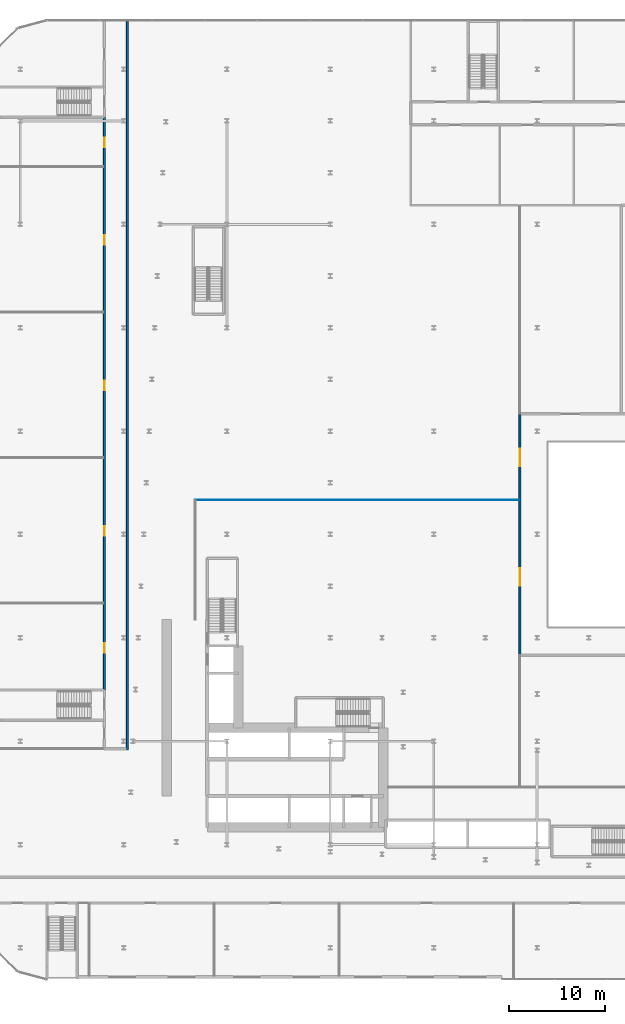
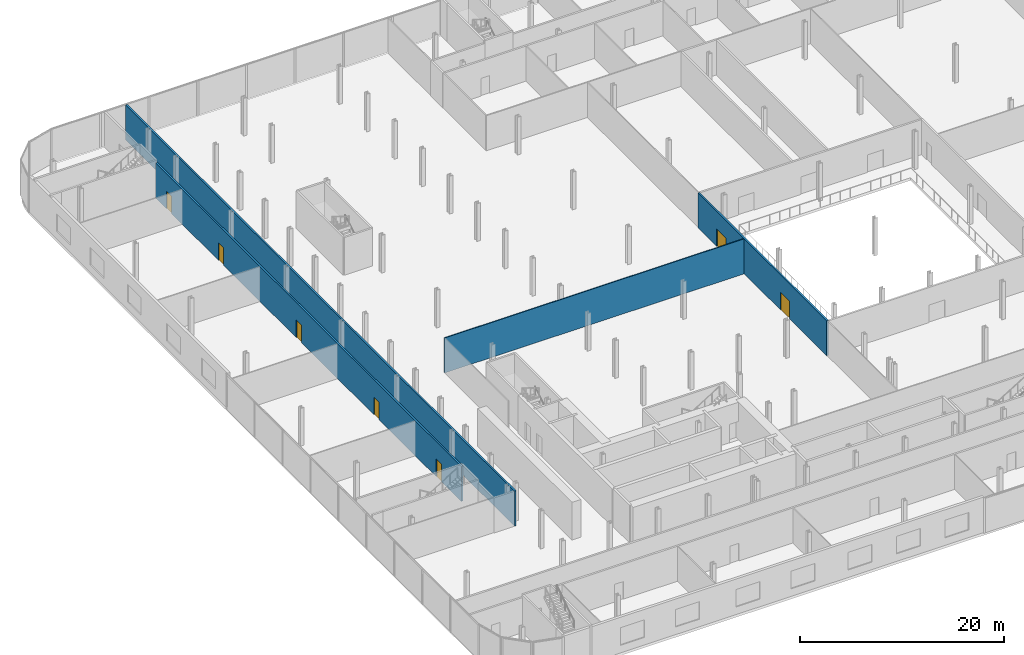
# One storey, part 31 of 47: 7 doors, 4 walls, 7 openings.
"""IFC4 building model written with IfcOpenShell, lengths in metres."""

import ifcopenshell
import ifcopenshell.guid

model = None  # the IFC model being written
_history = None  # IfcOwnerHistory: only IFC2X3 demands one
_inside = {}  # id of a spatial element -> (the spatial element, [elements in it])
_under = {}  # id of a project, library or spatial element -> (it, [spatial elements below it])
_declared = {}  # id of a project -> (the project, [libraries it declares])
_typed = {}  # id of a type object -> (the type object, [elements of that type])
_made_of = {}  # id of a material, layer set ... -> (it, [elements and type objects made of it])


def new_model(schema):
    """Start an empty IFC model of exactly this schema.

    Asked for "IFC4X3", IfcOpenShell would pick the latest addendum, in which some entities
    have other attributes; the version numbers below select the first issue.
    IFC2X3 requires an IfcOwnerHistory on every rooted entity: one is made here for all.
    """
    global model, _history
    if schema == "IFC4X3":
        model = ifcopenshell.file(schema_version=(4, 3, 0, 0))
    else:
        model = ifcopenshell.file(schema=schema)
    _inside.clear()
    _under.clear()
    _declared.clear()
    _typed.clear()
    _made_of.clear()
    _history = None
    if model.schema == "IFC2X3":
        org = make("IfcOrganization", Name="unknown")
        user = make(
            "IfcPersonAndOrganization",
            ThePerson=make("IfcPerson", FamilyName="unknown"),
            TheOrganization=org,
        )
        app = make(
            "IfcApplication",
            ApplicationDeveloper=org,
            Version="unknown",
            ApplicationFullName="unknown",
            ApplicationIdentifier="unknown",
        )
        _history = make(
            "IfcOwnerHistory",
            OwningUser=user,
            OwningApplication=app,
            ChangeAction="ADDED",
            CreationDate=0,
        )
    return model


def make(cls, **values):
    """One entity of the class cls with the attributes given. An attribute that is None is left unset."""
    return model.create_entity(
        cls, **{name: value for name, value in values.items() if value is not None}
    )


def rooted(cls, **values):
    """An entity with a GlobalId (a new one), such as an element, a storey or a relation."""
    return make(cls, GlobalId=ifcopenshell.guid.new(), OwnerHistory=_history, **values)


def si_unit(unit_type, name, prefix=None):
    """IfcSIUnit, for example si_unit("LENGTHUNIT", "METRE", prefix="MILLI")."""
    return make("IfcSIUnit", UnitType=unit_type, Prefix=prefix, Name=name)


def assignment(units):
    """IfcUnitAssignment: the units of a project."""
    return None if units is None else make("IfcUnitAssignment", Units=units)


def point(xyz):
    """IfcCartesianPoint."""
    return None if xyz is None else make("IfcCartesianPoint", Coordinates=xyz)


def direction(xyz):
    """IfcDirection."""
    return None if xyz is None else make("IfcDirection", DirectionRatios=xyz)


def frame(location, z_axis=None, x_axis=None):
    """IfcAxis2Placement3D, a coordinate frame: its origin and axes. An axis left out is left unset."""
    return make(
        "IfcAxis2Placement3D",
        Location=point(location),
        Axis=direction(z_axis),
        RefDirection=direction(x_axis),
    )


def frame_2d(location, x_axis=None):
    """IfcAxis2Placement2D, a coordinate frame in the plane: its origin and x axis."""
    return make(
        "IfcAxis2Placement2D", Location=point(location), RefDirection=direction(x_axis)
    )


def origin():
    """The frame at (0, 0, 0) with its axes left unset."""
    return frame((0.0, 0.0, 0.0))


def place(relative_to, where):
    """IfcLocalPlacement: puts the frame where relative to a parent placement (None: the world)."""
    return make(
        "IfcLocalPlacement", PlacementRelTo=relative_to, RelativePlacement=where
    )


def context(
    kind, dimensions, precision=None, world=None, true_north=None, identifier=None
):
    """IfcGeometricRepresentationContext, for example the 3D "Model" context."""
    return make(
        "IfcGeometricRepresentationContext",
        ContextIdentifier=identifier,
        ContextType=kind,
        CoordinateSpaceDimension=dimensions,
        Precision=precision,
        WorldCoordinateSystem=world,
        TrueNorth=true_north,
    )


def subcontext(parent, identifier, kind, view, scale=None):
    """IfcGeometricRepresentationSubContext, for example "Body" below "Model"."""
    return make(
        "IfcGeometricRepresentationSubContext",
        ContextIdentifier=identifier,
        ContextType=kind,
        ParentContext=parent,
        TargetScale=scale,
        TargetView=view,
    )


def project(units=None, contexts=None):
    """IfcProject with its units and contexts."""
    return rooted(
        "IfcProject",
        Name="project",
        RepresentationContexts=contexts,
        UnitsInContext=assignment(units),
    )


def spatial(cls, under=None, at=None, **own):
    """A site, building, storey or space (cls), placed at a placement, below another one or the project."""
    s = rooted(cls, ObjectPlacement=at, **own)
    if under is not None:
        _under.setdefault(under.id(), (under, []))[1].append(s)
    return s


def profile(cls, at=None, kind="AREA", **sizes):
    """A parametric profile (cls). Its sizes go by their IFC names, for example OverallWidth=200.0."""
    return make(cls, ProfileType=kind, Position=at, **sizes)


def rectangle(**sizes):
    """IfcRectangleProfileDef."""
    return profile("IfcRectangleProfileDef", **sizes)


def extrude(swept, where, along, depth):
    """IfcExtrudedAreaSolid: the profile swept, set in the frame where, extruded along a direction by depth."""
    return make(
        "IfcExtrudedAreaSolid",
        SweptArea=swept,
        Position=where,
        ExtrudedDirection=direction(along),
        Depth=depth,
    )


def shape(context_of_items, identifier, shape_type, items):
    """IfcShapeRepresentation: the items that make up one representation, for example the "Body"."""
    return make(
        "IfcShapeRepresentation",
        ContextOfItems=context_of_items,
        RepresentationIdentifier=identifier,
        RepresentationType=shape_type,
        Items=items,
    )


def source(mapping_origin, context_of_items, identifier, shape_type, items):
    """IfcRepresentationMap: a shape defined once, which mapped items show again and again."""
    return make(
        "IfcRepresentationMap",
        MappingOrigin=mapping_origin,
        MappedRepresentation=shape(context_of_items, identifier, shape_type, items),
    )


def transform(
    local_origin,
    x_axis=None,
    y_axis=None,
    z_axis=None,
    scale=None,
    scale2=None,
    scale3=None,
    uniform=True,
):
    """IfcCartesianTransformationOperator3D, or its non-uniform kind. x_axis, y_axis, z_axis: its Axis1, 2, 3."""
    if uniform:
        return make(
            "IfcCartesianTransformationOperator3D",
            Axis1=direction(x_axis),
            Axis2=direction(y_axis),
            LocalOrigin=point(local_origin),
            Scale=scale,
            Axis3=direction(z_axis),
        )
    return make(
        "IfcCartesianTransformationOperator3DnonUniform",
        Axis1=direction(x_axis),
        Axis2=direction(y_axis),
        LocalOrigin=point(local_origin),
        Scale=scale,
        Axis3=direction(z_axis),
        Scale2=scale2,
        Scale3=scale3,
    )


def mapped(mapping_source, mapping_target):
    """IfcMappedItem: shows the shape of a source again, moved by a transform."""
    return make(
        "IfcMappedItem", MappingSource=mapping_source, MappingTarget=mapping_target
    )


def material(Name=None, Category=None):
    """IfcMaterial."""
    return make("IfcMaterial", Name=Name, Category=Category)


def layer(
    of_material, thickness, ventilated=None, Name=None, Category=None, Priority=None
):
    """IfcMaterialLayer: one layer of a wall or slab, of a material (None: an air gap)."""
    return make(
        "IfcMaterialLayer",
        Material=of_material,
        LayerThickness=thickness,
        IsVentilated=ventilated,
        Name=Name,
        Category=Category,
        Priority=Priority,
    )


def layer_set(layers, Name=None):
    """IfcMaterialLayerSet."""
    return make("IfcMaterialLayerSet", MaterialLayers=layers, LayerSetName=Name)


def made_of(thing, what):
    """Note that an element or type object is made of a material, layer set ...; save() writes the relation."""
    if what is not None:
        _made_of.setdefault(what.id(), (what, []))[1].append(thing)
    return thing


def type_object(cls, material=None, **own):
    """A type object (cls), such as IfcWallType, which elements share."""
    return made_of(rooted(cls, **own), material)


def element(
    cls,
    number,
    at=None,
    inside=None,
    cuts=None,
    type_object=None,
    material=None,
    context=None,
    identifier="Body",
    shape_type=None,
    held_by="IfcProductDefinitionShape",
    body=None,
    shapes=None,
    **own,
):
    """One element of the class cls, such as IfcWall. Its Tag is "e" and its number.

    at: its placement. inside: the storey or other place that contains it. cuts: it is an
    opening in that element (IfcRelVoidsElement). A single representation is given by context,
    identifier, shape_type and body (its items); several are given by shapes. held_by: the class
    of the entity that holds the representations. save() writes the other relations.
    """
    e = rooted(cls, Tag="e%d" % number, ObjectPlacement=at, **own)
    if body is not None:
        shapes = [shape(context, identifier, shape_type, body)]
    if shapes is not None:
        e.Representation = make(held_by, Representations=shapes)
    if inside is not None:
        _inside.setdefault(inside.id(), (inside, []))[1].append(e)
    if cuts is not None:
        rooted(
            "IfcRelVoidsElement", RelatingBuildingElement=cuts, RelatedOpeningElement=e
        )
    if type_object is not None:
        _typed.setdefault(type_object.id(), (type_object, []))[1].append(e)
    return made_of(e, material)


def fill(opening, filler):
    """IfcRelFillsElement: the door or window that sits in an opening."""
    return rooted(
        "IfcRelFillsElement",
        RelatingOpeningElement=opening,
        RelatedBuildingElement=filler,
    )


def aggregate(whole, parts):
    """IfcRelAggregates: a whole, such as a stair, and the parts it consists of."""
    return rooted("IfcRelAggregates", RelatingObject=whole, RelatedObjects=parts)


def save(model, path):
    """Write the relations noted so far, then the file.

    IfcRelAggregates (storeys below a building ...), IfcRelContainedInSpatialStructure (elements
    in a storey), IfcRelDefinesByType, IfcRelAssociatesMaterial and IfcRelDeclares: one each for
    every whole, place, type object, material and project.
    """
    for whole, parts in _under.values():
        aggregate(whole, parts)
    for where, things in _inside.values():
        rooted(
            "IfcRelContainedInSpatialStructure",
            RelatedElements=things,
            RelatingStructure=where,
        )
    for kind, things in _typed.values():
        rooted("IfcRelDefinesByType", RelatedObjects=things, RelatingType=kind)
    for what, things in _made_of.values():
        rooted("IfcRelAssociatesMaterial", RelatedObjects=things, RelatingMaterial=what)
    for by, libraries in _declared.values():
        rooted("IfcRelDeclares", RelatingContext=by, RelatedDefinitions=libraries)
    model.write(path)


model = new_model("IFC4")

# Units and contexts
model_context = context("Model", 3, precision=1e-05, world=origin(), true_north=direction((0.0, 1.0)))
body_context = subcontext(model_context, "Body", "Model", "MODEL_VIEW")
ifc_project = project(units=[si_unit("LENGTHUNIT", "METRE"), si_unit("AREAUNIT", "SQUARE_METRE"), si_unit("VOLUMEUNIT", "CUBIC_METRE"), si_unit("PLANEANGLEUNIT", "RADIAN"), si_unit("MASSUNIT", "GRAM", prefix="KILO")], contexts=[model_context])

# Site, building, storey
site_placement = place(None, origin())
site = spatial("IfcSite", under=ifc_project, at=site_placement, CompositionType="ELEMENT")
building_placement = place(site_placement, origin())
building = spatial("IfcBuilding", under=site, at=building_placement, Name="Kheshtan School and Residences Tower", CompositionType="ELEMENT")
storey_placement = place(building_placement, frame((0.0, 0.0, 17.0)))
storey = spatial("IfcBuildingStorey", under=building, at=storey_placement, Name="L03", CompositionType="ELEMENT", Elevation=17.0)

# Wall, openings, doors
ifc_material_1 = material(Name="Gypsum board on steel studs with fire boards", Category="steel")
ifc_layer_1 = layer(ifc_material_1, 0.199951171875)
ifc_layer_set_1 = layer_set([ifc_layer_1], Name="Corridor wall 200")
wall_type_1 = type_object("IfcWallType", Name="Corridor wall 200", PredefinedType="PARTITIONING", material=ifc_layer_set_1)
wall_1_placement = place(storey_placement, frame((24.0, 40.14990234375, 0.0), z_axis=(0.0, 0.0, 1.0), x_axis=(0.0, 1.0, 0.0)))
wall_1 = element("IfcWall", 1, at=wall_1_placement, inside=storey, type_object=wall_type_1, Name="Partition L03-012", PredefinedType="PARTITIONING", context=body_context, shape_type="SweptSolid", body=[
    extrude(rectangle(XDim=59.85009765625, YDim=0.199951171875, at=frame_2d((29.925048828125, 0.0))), origin(), (0.0, 0.0, 1.0), 4.179931640625),
])
opening_1_placement = place(wall_1_placement, frame((3.89990234375, 0.0, 0.0)))
opening_1 = element("IfcOpeningElement", 2, at=opening_1_placement, cuts=wall_1, Name="Opening D03-053", PredefinedType="OPENING", context=body_context, shape_type="SweptSolid", body=[
    extrude(rectangle(XDim=1.0, YDim=2.10009765625, at=frame_2d((0.5, 1.050048828125))), frame((0.0, 0.10986328125, 0.0), z_axis=(0.0, -1.0, 0.0), x_axis=(1.0, 0.0, 0.0)), (0.0, 0.0, 1.0), 0.219970703125),
])
opening_2_placement = place(wall_1_placement, frame((16.10009765625, 0.0, 0.0)))
opening_2 = element("IfcOpeningElement", 3, at=opening_2_placement, cuts=wall_1, Name="Opening D03-054", PredefinedType="OPENING", context=body_context, shape_type="SweptSolid", body=[
    extrude(rectangle(XDim=1.0, YDim=2.10009765625, at=frame_2d((0.5, 1.050048828125))), frame((0.0, 0.10986328125, 0.0), z_axis=(0.0, -1.0, 0.0), x_axis=(1.0, 0.0, 0.0)), (0.0, 0.0, 1.0), 0.219970703125),
])
opening_3_placement = place(wall_1_placement, frame((31.300048828125, 0.0, 0.0)))
opening_3 = element("IfcOpeningElement", 4, at=opening_3_placement, cuts=wall_1, Name="Opening D03-055", PredefinedType="OPENING", context=body_context, shape_type="SweptSolid", body=[
    extrude(rectangle(XDim=1.0, YDim=2.10009765625, at=frame_2d((0.5, 1.050048828125))), frame((0.0, 0.10986328125, 0.0), z_axis=(0.0, -1.0, 0.0), x_axis=(1.0, 0.0, 0.0)), (0.0, 0.0, 1.0), 0.219970703125),
])
opening_4_placement = place(wall_1_placement, frame((46.5, 0.0, 0.0)))
opening_4 = element("IfcOpeningElement", 5, at=opening_4_placement, cuts=wall_1, Name="Opening D03-056", PredefinedType="OPENING", context=body_context, shape_type="SweptSolid", body=[
    extrude(rectangle(XDim=1.0, YDim=2.10009765625, at=frame_2d((0.5, 1.050048828125))), frame((0.0, 0.10986328125, 0.0), z_axis=(0.0, -1.0, 0.0), x_axis=(1.0, 0.0, 0.0)), (0.0, 0.0, 1.0), 0.219970703125),
])
opening_5_placement = place(wall_1_placement, frame((56.699951171875, 0.0, 0.0)))
opening_5 = element("IfcOpeningElement", 6, at=opening_5_placement, cuts=wall_1, Name="Opening D03-057", PredefinedType="OPENING", context=body_context, shape_type="SweptSolid", body=[
    extrude(rectangle(XDim=1.0, YDim=2.10009765625, at=frame_2d((0.5, 1.050048828125))), frame((0.0, 0.10986328125, 0.0), z_axis=(0.0, -1.0, 0.0), x_axis=(1.0, 0.0, 0.0)), (0.0, 0.0, 1.0), 0.219970703125),
])
ifc_material_2 = material(Name="Steel-framed fire-resisting door leaf", Category="steel")
door_type_1 = type_object("IfcDoorType", Name="Fire door FD60 1000 x 2100", OperationType="SINGLE_SWING_LEFT", PredefinedType="DOOR", material=ifc_material_2)
shared_shape_1 = source(origin(), body_context, "Body", "SweptSolid", [
    extrude(rectangle(XDim=1.0, YDim=2.10009765625, at=frame_2d((0.5, 1.050048828125))), frame((0.0, 0.02490234375, 0.0), z_axis=(0.0, -1.0, 0.0), x_axis=(1.0, 0.0, 0.0)), (0.0, 0.0, 1.0), 0.050048828125),
])
door_1_placement = place(opening_1_placement, origin())
door_1 = element("IfcDoor", 7, at=door_1_placement, inside=storey, type_object=door_type_1, Name="Door D03-053", OperationType="SINGLE_SWING_LEFT", OverallHeight=2.10009765625, OverallWidth=1.0, PredefinedType="DOOR", context=body_context, shape_type="MappedRepresentation", body=[
    mapped(shared_shape_1, transform((0.0, 0.0, 0.0), x_axis=(1.0, 0.0, 0.0), y_axis=(0.0, 1.0, 0.0), z_axis=(0.0, 0.0, 1.0), scale=1.0)),
])
fill(opening_1, door_1)
door_2_placement = place(opening_2_placement, origin())
door_2 = element("IfcDoor", 8, at=door_2_placement, inside=storey, type_object=door_type_1, Name="Door D03-054", OperationType="SINGLE_SWING_LEFT", OverallHeight=2.10009765625, OverallWidth=1.0, PredefinedType="DOOR", context=body_context, shape_type="MappedRepresentation", body=[
    mapped(shared_shape_1, transform((0.0, 0.0, 0.0), x_axis=(1.0, 0.0, 0.0), y_axis=(0.0, 1.0, 0.0), z_axis=(0.0, 0.0, 1.0), scale=1.0)),
])
fill(opening_2, door_2)
door_3_placement = place(opening_3_placement, origin())
door_3 = element("IfcDoor", 9, at=door_3_placement, inside=storey, type_object=door_type_1, Name="Door D03-055", OperationType="SINGLE_SWING_LEFT", OverallHeight=2.10009765625, OverallWidth=1.0, PredefinedType="DOOR", context=body_context, shape_type="MappedRepresentation", body=[
    mapped(shared_shape_1, transform((0.0, 0.0, 0.0), x_axis=(1.0, 0.0, 0.0), y_axis=(0.0, 1.0, 0.0), z_axis=(0.0, 0.0, 1.0), scale=1.0)),
])
fill(opening_3, door_3)
door_4_placement = place(opening_4_placement, origin())
door_4 = element("IfcDoor", 10, at=door_4_placement, inside=storey, type_object=door_type_1, Name="Door D03-056", OperationType="SINGLE_SWING_LEFT", OverallHeight=2.10009765625, OverallWidth=1.0, PredefinedType="DOOR", context=body_context, shape_type="MappedRepresentation", body=[
    mapped(shared_shape_1, transform((0.0, 0.0, 0.0), x_axis=(1.0, 0.0, 0.0), y_axis=(0.0, 1.0, 0.0), z_axis=(0.0, 0.0, 1.0), scale=1.0)),
])
fill(opening_4, door_4)
door_5_placement = place(opening_5_placement, origin())
door_5 = element("IfcDoor", 11, at=door_5_placement, inside=storey, type_object=door_type_1, Name="Door D03-057", OperationType="SINGLE_SWING_LEFT", OverallHeight=2.10009765625, OverallWidth=1.0, PredefinedType="DOOR", context=body_context, shape_type="MappedRepresentation", body=[
    mapped(shared_shape_1, transform((0.0, 0.0, 0.0), x_axis=(1.0, 0.0, 0.0), y_axis=(0.0, 1.0, 0.0), z_axis=(0.0, 0.0, 1.0), scale=1.0)),
])
fill(opening_5, door_5)

# Wall
wall_2_placement = place(storey_placement, frame((26.39990234375, 33.89990234375, 0.0), z_axis=(0.0, 0.0, 1.0), x_axis=(0.0, 1.0, 0.0)))
element("IfcWall", 12, at=wall_2_placement, inside=storey, type_object=wall_type_1, Name="Partition L03-014", PredefinedType="PARTITIONING", context=body_context, shape_type="SweptSolid", body=[
    extrude(rectangle(XDim=76.10009765625, YDim=0.199951171875, at=frame_2d((38.050048828125, 0.0))), origin(), (0.0, 0.0, 1.0), 4.179931640625),
])

# Wall, openings, doors
wall_3_placement = place(storey_placement, frame((67.39990234375, 43.800048828125, 0.0), z_axis=(0.0, 0.0, 1.0), x_axis=(0.0, 1.0, 0.0)))
wall_3 = element("IfcWall", 13, at=wall_3_placement, inside=storey, type_object=wall_type_1, Name="Partition L03-030", PredefinedType="PARTITIONING", context=body_context, shape_type="SweptSolid", body=[
    extrude(rectangle(XDim=25.199951171875, YDim=0.199951171875, at=frame_2d((12.60009765625, 0.0))), origin(), (0.0, 0.0, 1.0), 4.179931640625),
])
opening_6_placement = place(wall_3_placement, frame((7.25, 0.0, 0.0)))
opening_6 = element("IfcOpeningElement", 14, at=opening_6_placement, cuts=wall_3, Name="Opening D03-059", PredefinedType="OPENING", context=body_context, shape_type="SweptSolid", body=[
    extrude(rectangle(XDim=1.800048828125, YDim=2.10009765625, at=frame_2d((0.89990234375, 1.050048828125))), frame((0.0, 0.10986328125, 0.0), z_axis=(0.0, -1.0, 0.0), x_axis=(1.0, 0.0, 0.0)), (0.0, 0.0, 1.0), 0.219970703125),
])
opening_7_placement = place(wall_3_placement, frame((19.75, 0.0, 0.0)))
opening_7 = element("IfcOpeningElement", 15, at=opening_7_placement, cuts=wall_3, Name="Opening D03-060", PredefinedType="OPENING", context=body_context, shape_type="SweptSolid", body=[
    extrude(rectangle(XDim=1.800048828125, YDim=2.10009765625, at=frame_2d((0.89990234375, 1.050048828125))), frame((0.0, 0.10986328125, 0.0), z_axis=(0.0, -1.0, 0.0), x_axis=(1.0, 0.0, 0.0)), (0.0, 0.0, 1.0), 0.219970703125),
])
door_type_2 = type_object("IfcDoorType", Name="Fire double door FD60 1800 x 2100", OperationType="DOUBLE_DOOR_SINGLE_SWING", PredefinedType="DOOR", material=ifc_material_2)
shared_shape_2 = source(origin(), body_context, "Body", "SweptSolid", [
    extrude(rectangle(XDim=1.800048828125, YDim=2.10009765625, at=frame_2d((0.89990234375, 1.050048828125))), frame((0.0, 0.02490234375, 0.0), z_axis=(0.0, -1.0, 0.0), x_axis=(1.0, 0.0, 0.0)), (0.0, 0.0, 1.0), 0.050048828125),
])
door_6_placement = place(opening_6_placement, origin())
door_6 = element("IfcDoor", 16, at=door_6_placement, inside=storey, type_object=door_type_2, Name="Door D03-059", OperationType="DOUBLE_DOOR_SINGLE_SWING", OverallHeight=2.10009765625, OverallWidth=1.800048828125, PredefinedType="DOOR", context=body_context, shape_type="MappedRepresentation", body=[
    mapped(shared_shape_2, transform((0.0, 0.0, 0.0), x_axis=(1.0, 0.0, 0.0), y_axis=(0.0, 1.0, 0.0), z_axis=(0.0, 0.0, 1.0), scale=1.0)),
])
fill(opening_6, door_6)
door_7_placement = place(opening_7_placement, origin())
door_7 = element("IfcDoor", 17, at=door_7_placement, inside=storey, type_object=door_type_2, Name="Door D03-060", OperationType="DOUBLE_DOOR_SINGLE_SWING", OverallHeight=2.10009765625, OverallWidth=1.800048828125, PredefinedType="DOOR", context=body_context, shape_type="MappedRepresentation", body=[
    mapped(shared_shape_2, transform((0.0, 0.0, 0.0), x_axis=(1.0, 0.0, 0.0), y_axis=(0.0, 1.0, 0.0), z_axis=(0.0, 0.0, 1.0), scale=1.0)),
])
fill(opening_7, door_7)

# Wall
ifc_material_3 = material(Name="Gypsum board on steel studs", Category="steel")
ifc_layer_2 = layer(ifc_material_3, 0.10009765625)
ifc_layer_set_2 = layer_set([ifc_layer_2], Name="Gypsum partition 100")
wall_type_2 = type_object("IfcWallType", Name="Gypsum partition 100", PredefinedType="PARTITIONING", material=ifc_layer_set_2)
wall_4_placement = place(storey_placement, frame((33.449951171875, 60.0, 0.0), z_axis=(0.0, 0.0, 1.0), x_axis=(1.0, 0.0, 0.0)))
element("IfcWall", 18, at=wall_4_placement, inside=storey, type_object=wall_type_2, Name="Partition L03-015", PredefinedType="PARTITIONING", context=body_context, shape_type="SweptSolid", body=[
    extrude(rectangle(XDim=33.85009765625, YDim=0.10009765625, at=frame_2d((16.925048828125, 0.0))), origin(), (0.0, 0.0, 1.0), 4.179931640625),
])

save(model, "model.ifc")
